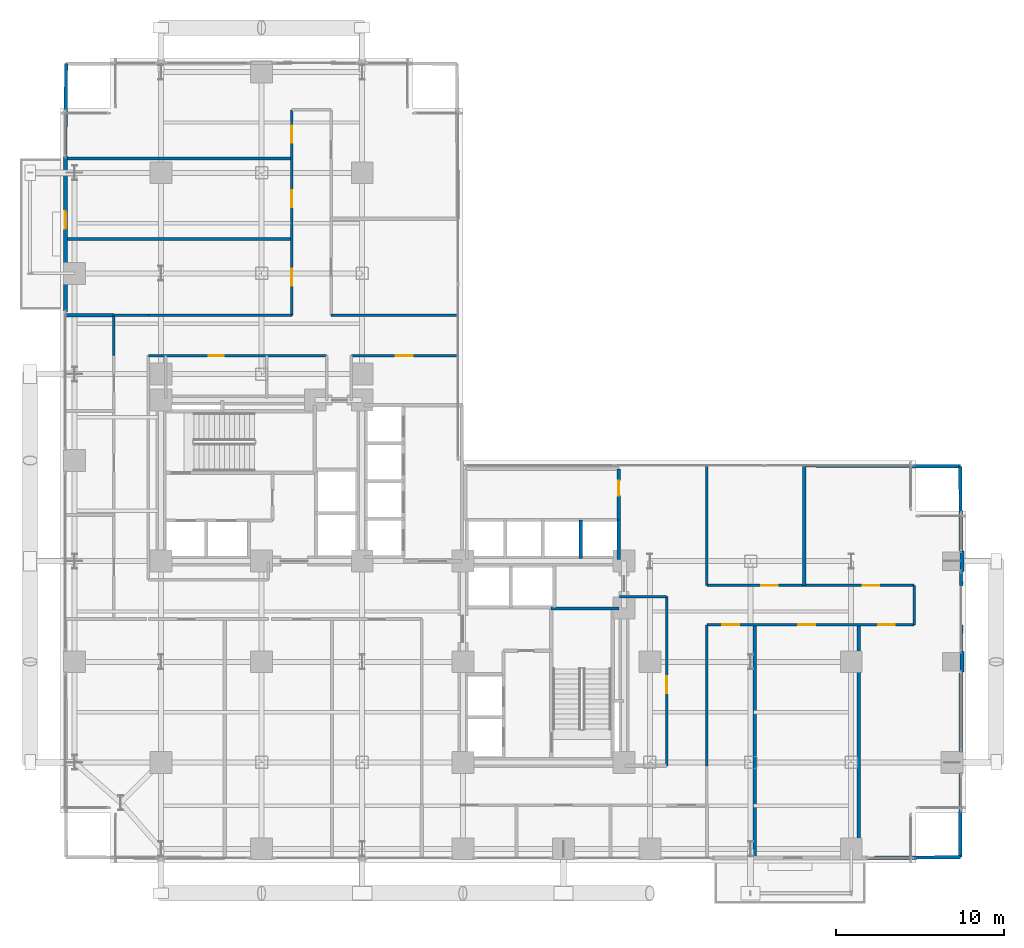
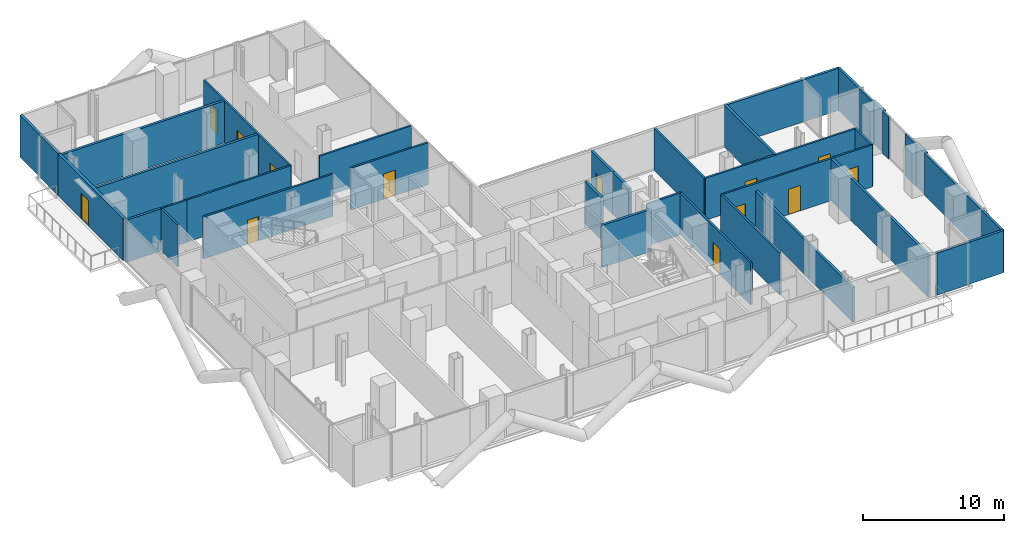
# One storey, part 23 of 27: 34 walls, 13 doors, 13 openings.
"""IFC4 building model written with IfcOpenShell, lengths in metres."""

from ifc_helpers import new_model, si_unit, direction, frame, frame_2d, origin, place, context, subcontext, project, spatial, rectangle, extrude, material, layer, layer_set, type_object, element, fill, save


model = new_model("IFC4")

# Units and contexts
model_context = context("Model", 3, precision=1e-05, world=origin(), true_north=direction((0.0, 1.0)))
body_context = subcontext(model_context, "Body", "Model", "MODEL_VIEW")
ifc_project = project(units=[si_unit("LENGTHUNIT", "METRE"), si_unit("AREAUNIT", "SQUARE_METRE"), si_unit("VOLUMEUNIT", "CUBIC_METRE"), si_unit("PLANEANGLEUNIT", "RADIAN"), si_unit("MASSUNIT", "GRAM", prefix="KILO"), si_unit("THERMODYNAMICTEMPERATUREUNIT", "KELVIN"), si_unit("POWERUNIT", "WATT")], contexts=[model_context])

# Site, building, storey
site_placement = place(None, origin())
site = spatial("IfcSite", under=ifc_project, at=site_placement, CompositionType="ELEMENT")
building_placement = place(site_placement, origin())
building = spatial("IfcBuilding", under=site, at=building_placement, Name="Svarakhadi Broadcast Tower", CompositionType="ELEMENT")
storey_placement = place(building_placement, frame((0.0, 0.0, 71.39990234375)))
storey = spatial("IfcBuildingStorey", under=building, at=storey_placement, Name="L16", CompositionType="ELEMENT", Elevation=71.39990234375)

# Walls
ifc_material_1 = material(Name="Double-Stud Acoustic Studio Partition STC-62", Category="gypsum")
ifc_layer_1 = layer(ifc_material_1, 0.199951171875)
ifc_layer_set_1 = layer_set([ifc_layer_1], Name="Double-Stud Acoustic Studio Partition STC-62")
wall_type_1 = type_object("IfcWallType", Name="Wall_Acoust_200", PredefinedType="PARTITIONING", material=ifc_layer_set_1)
wall_1_placement = place(storey_placement, frame((41.39990234375, 0.300048828125, 0.0), z_axis=(0.0, 0.0, 1.0), x_axis=(0.0, 1.0, 0.0)))
element("IfcWall", 1, at=wall_1_placement, inside=storey, type_object=wall_type_1, Name="L16 Harbour Terrace Espresso Bistro Wall", PredefinedType="PARTITIONING", context=body_context, shape_type="SweptSolid", body=[
    extrude(rectangle(XDim=13.89990234375, YDim=0.199951171875, at=frame_2d((6.949951171875, 0.0))), origin(), (0.0, 0.0, 1.0), 2.9921875),
])
wall_2_placement = place(storey_placement, frame((47.60009765625, 0.300048828125, 0.0), z_axis=(0.0, 0.0, 1.0), x_axis=(0.0, 1.0, 0.0)))
element("IfcWall", 2, at=wall_2_placement, inside=storey, type_object=wall_type_1, Name="L16 Crew Recreation Lounge Wall", PredefinedType="PARTITIONING", context=body_context, shape_type="SweptSolid", body=[
    extrude(rectangle(XDim=13.89990234375, YDim=0.199951171875, at=frame_2d((6.949951171875, 0.0))), origin(), (0.0, 0.0, 1.0), 3.650146484375),
])
wall_3_placement = place(storey_placement, frame((48.14501953125, 0.304443359375, 0.0), z_axis=(0.0, 0.0, 1.0), x_axis=(0.999965611379, 0.008293133286, 0.0)))
element("IfcWall", 3, at=wall_3_placement, inside=storey, type_object=wall_type_1, Name="L16 Staff Fitness Stretching Room Wall", PredefinedType="PARTITIONING", context=body_context, shape_type="SweptSolid", body=[
    extrude(rectangle(XDim=5.505126953125, YDim=0.199951171875, at=frame_2d((2.75244140625, 0.0))), origin(), (0.0, 0.0, 1.0), 3.650146484375),
])
wall_4_placement = place(storey_placement, frame((53.64990234375, 0.35009765625, 0.0), z_axis=(0.0, 0.0, 1.0), x_axis=(0.003606251025, 0.999993497456, 0.0)))
element("IfcWall", 4, at=wall_4_placement, inside=storey, type_object=wall_type_1, Name="L16 Staff Fitness Stretching Room Wall", PredefinedType="PARTITIONING", context=body_context, shape_type="SweptSolid", body=[
    extrude(rectangle(XDim=11.034912109375, YDim=0.199951171875, at=frame_2d((5.517578125, 0.0))), origin(), (0.0, 0.0, 1.0), 3.650146484375),
])
wall_5_placement = place(storey_placement, frame((53.6943359375, 12.614990234375, 0.0), z_axis=(0.0, 0.0, 1.0), x_axis=(0.003542799701, 0.999993724265, 0.0)))
element("IfcWall", 5, at=wall_5_placement, inside=storey, type_object=wall_type_1, Name="L16 Staff Fitness Stretching Room Wall", PredefinedType="PARTITIONING", context=body_context, shape_type="SweptSolid", body=[
    extrude(rectangle(XDim=1.5849609375, YDim=0.199951171875, at=frame_2d((0.79248046875, 0.0))), origin(), (0.0, 0.0, 1.0), 3.650146484375),
])
wall_6_placement = place(storey_placement, frame((44.35009765625, 16.550048828125, 0.0), z_axis=(0.0, 0.0, 1.0), x_axis=(0.0, 1.0, 0.0)))
element("IfcWall", 6, at=wall_6_placement, inside=storey, type_object=wall_type_1, Name="L16 Broadcast Acoustic Booth Wall", PredefinedType="PARTITIONING", context=body_context, shape_type="SweptSolid", body=[
    extrude(rectangle(XDim=7.14990234375, YDim=0.199951171875, at=frame_2d((3.574951171875, 0.0))), origin(), (0.0, 0.0, 1.0), 3.650146484375),
])
wall_7_placement = place(storey_placement, frame((44.35009765625, 23.699951171875, 0.0), z_axis=(0.0, 0.0, 1.0), x_axis=(0.999985518927, -0.005381629512, 0.0)))
element("IfcWall", 7, at=wall_7_placement, inside=storey, type_object=wall_type_1, Name="L16 Broadcast Equipment Operations Room Wall", PredefinedType="PARTITIONING", context=body_context, shape_type="SweptSolid", body=[
    extrude(rectangle(XDim=9.300048828125, YDim=0.199951171875, at=frame_2d((4.64990234375, 0.0))), origin(), (0.0, 0.0, 1.0), 3.650146484375),
])
wall_8_placement = place(storey_placement, frame((53.699951171875, 16.550048828125, 0.0), z_axis=(0.0, 0.0, 1.0), x_axis=(-0.007017371073, 0.999975377948, 0.0)))
element("IfcWall", 8, at=wall_8_placement, inside=storey, type_object=wall_type_1, Name="L16 Broadcast Equipment Operations Room Wall", PredefinedType="PARTITIONING", context=body_context, shape_type="SweptSolid", body=[
    extrude(rectangle(XDim=0.8349609375, YDim=0.199951171875, at=frame_2d((0.41748046875, 0.0))), origin(), (0.0, 0.0, 1.0), 3.650146484375),
])
wall_9_placement = place(storey_placement, frame((53.685546875, 18.614990234375, 0.0), z_axis=(0.0, 0.0, 1.0), x_axis=(-0.007079296972, 0.999974941463, 0.0)))
element("IfcWall", 9, at=wall_9_placement, inside=storey, type_object=wall_type_1, Name="L16 Broadcast Equipment Operations Room Wall", PredefinedType="PARTITIONING", context=body_context, shape_type="SweptSolid", body=[
    extrude(rectangle(XDim=5.03515625, YDim=0.199951171875, at=frame_2d((2.517578125, 0.0))), origin(), (0.0, 0.0, 1.0), 3.650146484375),
])
for number, where, z_axis, x_axis, name in (
    (10, (0.300048828125, 37.199951171875, 0.0), (0.0, 0.0, 1.0), (1.0, 0.0, 0.0), "L16 Occupational Health Wellness Room Wall"),
    (11, (0.300048828125, 42.0, 0.0), (0.0, 0.0, 1.0), (1.0, 0.0, 0.0), "L16 Night-Shift Quiet Rest Lounge Wall"),
):
    element("IfcWall", number, at=place(storey_placement, frame(where, z_axis=z_axis, x_axis=x_axis)), inside=storey, type_object=wall_type_1, Name=name, PredefinedType="PARTITIONING", context=body_context, shape_type="SweptSolid", body=[
        extrude(rectangle(XDim=13.5, YDim=0.199951171875, at=frame_2d((6.75, 0.0))), origin(), (0.0, 0.0, 1.0), 3.650146484375),
    ])
wall_10_placement = place(storey_placement, frame((0.30126953125, 42.14501953125, 0.0), z_axis=(0.0, 0.0, 1.0), x_axis=(0.008869617387, 0.99996066417, 0.0)))
element("IfcWall", 12, at=wall_10_placement, inside=storey, type_object=wall_type_1, Name="L16 Crew Locker Store Wall", PredefinedType="PARTITIONING", context=body_context, shape_type="SweptSolid", body=[
    extrude(rectangle(XDim=5.505126953125, YDim=0.199951171875, at=frame_2d((2.75244140625, 0.0))), origin(), (0.0, 0.0, 1.0), 3.650146484375),
])
wall_11_placement = place(storey_placement, frame((0.300048828125, 32.64990234375, 0.0), z_axis=(0.0, 0.0, 1.0), x_axis=(1.0, 0.0, 0.0)))
element("IfcWall", 13, at=wall_11_placement, inside=storey, type_object=wall_type_1, Name="L16 Producer Quiet Lounge Wall", PredefinedType="PARTITIONING", context=body_context, shape_type="SweptSolid", body=[
    extrude(rectangle(XDim=2.89990234375, YDim=0.199951171875, at=frame_2d((1.449951171875, 0.0))), origin(), (0.0, 0.0, 1.0), 3.650146484375),
])

# Wall, opening, door
ifc_material_2 = material(Name="Concrete C40/50 (IS 456 M50)", Category="concrete")
ifc_layer_2 = layer(ifc_material_2, 0.239990234375)
ifc_layer_set_2 = layer_set([ifc_layer_2], Name="Concrete C40/50 (IS 456 M50)")
wall_type_2 = type_object("IfcWallType", Name="Wall_Ext_240", PredefinedType="SOLIDWALL", material=ifc_layer_set_2)
wall_12_placement = place(storey_placement, frame((0.300048828125, 32.85498046875, 0.0), z_axis=(0.0, 0.0, 1.0), x_axis=(0.0, 1.0, 0.0)))
wall_12 = element("IfcWall", 14, at=wall_12_placement, inside=storey, type_object=wall_type_2, Name="L16 West Tree Balcony Spandrel Wall", PredefinedType="SOLIDWALL", context=body_context, shape_type="SweptSolid", body=[
    extrude(rectangle(XDim=9.2900390625, YDim=0.239990234375, at=frame_2d((4.64501953125, 0.0))), origin(), (0.0, 0.0, 1.0), 3.650146484375),
])
opening_1_placement = place(wall_12_placement, frame((4.949951171875, 0.0, 0.0)))
opening_1 = element("IfcOpeningElement", 15, at=opening_1_placement, cuts=wall_12, Name="Opening ED-05", PredefinedType="OPENING", context=body_context, shape_type="SweptSolid", body=[
    extrude(rectangle(XDim=1.050048828125, YDim=2.199951171875, at=frame_2d((0.52490234375, 1.10009765625))), frame((0.0, 0.1298828125, 0.0), z_axis=(0.0, -1.0, 0.0), x_axis=(1.0, 0.0, 0.0)), (0.0, 0.0, 1.0), 0.260009765625),
])
ifc_material_3 = material(Name="Anodised Bronze Aluminium AA 6063-T6", Category="aluminium")
door_type_1 = type_object("IfcDoorType", Name="Door_Ext_ED05", OperationType="SINGLE_SWING_LEFT", PredefinedType="DOOR", material=ifc_material_3)
door_1_placement = place(opening_1_placement, origin())
door_1 = element("IfcDoor", 16, at=door_1_placement, inside=storey, type_object=door_type_1, Name="L16 West Tree Balcony Door", OperationType="SINGLE_SWING_LEFT", OverallHeight=2.199951171875, OverallWidth=1.050048828125, PredefinedType="DOOR", context=body_context, shape_type="SweptSolid", body=[
    extrude(rectangle(XDim=1.050048828125, YDim=2.199951171875, at=frame_2d((0.52490234375, 1.10009765625))), frame((0.0, 0.02490234375, 0.0), z_axis=(0.0, -1.0, 0.0), x_axis=(1.0, 0.0, 0.0)), (0.0, 0.0, 1.0), 0.050048828125),
])
fill(opening_1, door_1)

# Walls
for number, where, z_axis, x_axis, name in (
    (17, (53.760009765625, 18.614990234375, 0.0), (0.0, 0.0, 1.0), (0.0, -1.0, 0.0), "L16 Perimeter Bronze Spandrel Closure Wall 03"),
    (18, (53.760009765625, 12.614990234375, 0.0), (0.0, 0.0, 1.0), (0.0, -1.0, 0.0), "L16 Perimeter Bronze Spandrel Closure Wall 04"),
):
    element("IfcWall", number, at=place(storey_placement, frame(where, z_axis=z_axis, x_axis=x_axis)), inside=storey, type_object=wall_type_2, Name=name, PredefinedType="SOLIDWALL", context=body_context, shape_type="SweptSolid", body=[
        extrude(rectangle(XDim=1.22998046875, YDim=0.239990234375, at=frame_2d((0.614990234375, 0.0))), origin(), (0.0, 0.0, 1.0), 3.650146484375),
    ])

# Wall, opening, door
ifc_material_4 = material(Name="Autoclaved Aerated Concrete Blockwork 150 mm", Category="masonry")
ifc_layer_3 = layer(ifc_material_4, 0.14990234375)
ifc_layer_set_3 = layer_set([ifc_layer_3], Name="Autoclaved Aerated Concrete Blockwork 150 mm")
wall_type_3 = type_object("IfcWallType", Name="Wall_Part_150", PredefinedType="PARTITIONING", material=ifc_layer_set_3)
wall_13_placement = place(storey_placement, frame((36.14990234375, 5.800048828125, 0.0), z_axis=(0.0, 0.0, 1.0), x_axis=(0.0, 1.0, 0.0)))
wall_13 = element("IfcWall", 19, at=wall_13_placement, inside=storey, type_object=wall_type_3, Name="L16 Broadcast Corridor Wall", PredefinedType="PARTITIONING", context=body_context, shape_type="SweptSolid", body=[
    extrude(rectangle(XDim=10.079833984375, YDim=0.14990234375, at=frame_2d((5.0400390625, 0.0))), origin(), (0.0, 0.0, 1.0), 3.650146484375),
])
opening_2_placement = place(wall_13_placement, frame((4.330078125, 0.0, 0.0)))
opening_2 = element("IfcOpeningElement", 20, at=opening_2_placement, cuts=wall_13, Name="Opening D-08", PredefinedType="OPENING", context=body_context, shape_type="SweptSolid", body=[
    extrude(rectangle(XDim=1.0, YDim=2.199951171875, at=frame_2d((0.5, 1.10009765625))), frame((0.0, 0.0849609375, 0.0), z_axis=(0.0, -1.0, 0.0), x_axis=(1.0, 0.0, 0.0)), (0.0, 0.0, 1.0), 0.169921875),
])
ifc_material_5 = material(Name="Solid-Core Teak Veneer Acoustic Timber Leaf", Category="wood")
door_type_2 = type_object("IfcDoorType", Name="Door_Suite_D08", OperationType="SINGLE_SWING_LEFT", PredefinedType="DOOR", material=ifc_material_5)
door_2_placement = place(opening_2_placement, origin())
door_2 = element("IfcDoor", 21, at=door_2_placement, inside=storey, type_object=door_type_2, Name="L16 Live Feed Monitoring Studio Door", OperationType="SINGLE_SWING_LEFT", OverallHeight=2.199951171875, OverallWidth=1.0, PredefinedType="DOOR", context=body_context, shape_type="SweptSolid", body=[
    extrude(rectangle(XDim=1.0, YDim=2.199951171875, at=frame_2d((0.5, 1.10009765625))), frame((0.0, 0.02490234375, 0.0), z_axis=(0.0, -1.0, 0.0), x_axis=(1.0, 0.0, 0.0)), (0.0, 0.0, 1.0), 0.050048828125),
])
fill(opening_2, door_2)

# Walls
wall_14_placement = place(storey_placement, frame((36.14990234375, 15.8798828125, 0.0), z_axis=(0.0, 0.0, 1.0), x_axis=(-1.0, 0.0, 0.0)))
element("IfcWall", 22, at=wall_14_placement, inside=storey, type_object=wall_type_3, Name="L16 Broadcast Corridor Wall", PredefinedType="PARTITIONING", context=body_context, shape_type="SweptSolid", body=[
    extrude(rectangle(XDim=2.809814453125, YDim=0.14990234375, at=frame_2d((1.40478515625, 0.0))), origin(), (0.0, 0.0, 1.0), 3.650146484375),
])
wall_15_placement = place(storey_placement, frame((38.550048828125, 23.699951171875, 0.0), z_axis=(0.0, 0.0, 1.0), x_axis=(0.0, -1.0, 0.0)))
element("IfcWall", 23, at=wall_15_placement, inside=storey, type_object=wall_type_3, Name="L16 Broadcast Corridor Wall", PredefinedType="PARTITIONING", context=body_context, shape_type="SweptSolid", body=[
    extrude(rectangle(XDim=7.14990234375, YDim=0.14990234375, at=frame_2d((3.574951171875, 0.0))), origin(), (0.0, 0.0, 1.0), 3.650146484375),
])

# Wall, openings, doors
wall_16_placement = place(storey_placement, frame((38.550048828125, 16.550048828125, 0.0), z_axis=(0.0, 0.0, 1.0), x_axis=(1.0, 0.0, 0.0)))
wall_16 = element("IfcWall", 24, at=wall_16_placement, inside=storey, type_object=wall_type_3, Name="L16 Broadcast Corridor Wall", PredefinedType="PARTITIONING", context=body_context, shape_type="SweptSolid", body=[
    extrude(rectangle(XDim=12.349853515625, YDim=0.14990234375, at=frame_2d((6.1748046875, 0.0))), origin(), (0.0, 0.0, 1.0), 3.650146484375),
])
opening_3_placement = place(wall_16_placement, frame((3.22998046875, 0.0, 0.0)))
opening_3 = element("IfcOpeningElement", 25, at=opening_3_placement, cuts=wall_16, Name="Opening D-09", PredefinedType="OPENING", context=body_context, shape_type="SweptSolid", body=[
    extrude(rectangle(XDim=1.0, YDim=2.199951171875, at=frame_2d((0.5, 1.10009765625))), frame((0.0, 0.0849609375, 0.0), z_axis=(0.0, -1.0, 0.0), x_axis=(1.0, 0.0, 0.0)), (0.0, 0.0, 1.0), 0.169921875),
])
opening_4_placement = place(wall_16_placement, frame((9.280029296875, 0.0, 0.0)))
opening_4 = element("IfcOpeningElement", 26, at=opening_4_placement, cuts=wall_16, Name="Opening D-09", PredefinedType="OPENING", context=body_context, shape_type="SweptSolid", body=[
    extrude(rectangle(XDim=1.0, YDim=2.199951171875, at=frame_2d((0.5, 1.10009765625))), frame((0.0, 0.0849609375, 0.0), z_axis=(0.0, -1.0, 0.0), x_axis=(1.0, 0.0, 0.0)), (0.0, 0.0, 1.0), 0.169921875),
])
door_type_3 = type_object("IfcDoorType", Name="Door_Suite_D09", OperationType="SINGLE_SWING_RIGHT", PredefinedType="DOOR", material=ifc_material_5)
door_3_placement = place(opening_3_placement, origin())
door_3 = element("IfcDoor", 27, at=door_3_placement, inside=storey, type_object=door_type_3, Name="L16 Broadcast Acoustic Booth Door", OperationType="SINGLE_SWING_RIGHT", OverallHeight=2.199951171875, OverallWidth=1.0, PredefinedType="DOOR", context=body_context, shape_type="SweptSolid", body=[
    extrude(rectangle(XDim=1.0, YDim=2.199951171875, at=frame_2d((0.5, 1.10009765625))), frame((0.0, 0.02490234375, 0.0), z_axis=(0.0, -1.0, 0.0), x_axis=(1.0, 0.0, 0.0)), (0.0, 0.0, 1.0), 0.050048828125),
])
fill(opening_3, door_3)
door_4_placement = place(opening_4_placement, origin())
door_4 = element("IfcDoor", 28, at=door_4_placement, inside=storey, type_object=door_type_3, Name="L16 Broadcast Equipment Operations Room Door", OperationType="SINGLE_SWING_RIGHT", OverallHeight=2.199951171875, OverallWidth=1.0, PredefinedType="DOOR", context=body_context, shape_type="SweptSolid", body=[
    extrude(rectangle(XDim=1.0, YDim=2.199951171875, at=frame_2d((0.5, 1.10009765625))), frame((0.0, 0.02490234375, 0.0), z_axis=(0.0, -1.0, 0.0), x_axis=(1.0, 0.0, 0.0)), (0.0, 0.0, 1.0), 0.050048828125),
])
fill(opening_4, door_4)

# Wall
wall_17_placement = place(storey_placement, frame((50.89990234375, 16.550048828125, 0.0), z_axis=(0.0, 0.0, 1.0), x_axis=(0.0, -1.0, 0.0)))
element("IfcWall", 29, at=wall_17_placement, inside=storey, type_object=wall_type_3, Name="L16 Broadcast Corridor Wall", PredefinedType="PARTITIONING", context=body_context, shape_type="SweptSolid", body=[
    extrude(rectangle(XDim=2.35009765625, YDim=0.14990234375, at=frame_2d((1.175048828125, 0.0))), origin(), (0.0, 0.0, 1.0), 3.650146484375),
])

# Wall, openings, doors
wall_18_placement = place(storey_placement, frame((50.89990234375, 14.199951171875, 0.0), z_axis=(0.0, 0.0, 1.0), x_axis=(-1.0, 0.0, 0.0)))
wall_18 = element("IfcWall", 30, at=wall_18_placement, inside=storey, type_object=wall_type_3, Name="L16 Broadcast Corridor Wall", PredefinedType="PARTITIONING", context=body_context, shape_type="SweptSolid", body=[
    extrude(rectangle(XDim=12.349853515625, YDim=0.14990234375, at=frame_2d((6.1748046875, 0.0))), origin(), (0.0, 0.0, 1.0), 3.650146484375),
])
opening_5_placement = place(wall_18_placement, frame((10.425048828125, 0.0, 0.0)))
opening_5 = element("IfcOpeningElement", 31, at=opening_5_placement, cuts=wall_18, Name="Opening D-09", PredefinedType="OPENING", context=body_context, shape_type="SweptSolid", body=[
    extrude(rectangle(XDim=1.0, YDim=2.199951171875, at=frame_2d((0.5, 1.10009765625))), frame((0.0, 0.0849609375, 0.0), z_axis=(0.0, -1.0, 0.0), x_axis=(1.0, 0.0, 0.0)), (0.0, 0.0, 1.0), 0.169921875),
])
opening_6_placement = place(wall_18_placement, frame((5.89990234375, 0.0, 0.0)))
opening_6 = element("IfcOpeningElement", 32, at=opening_6_placement, cuts=wall_18, Name="Opening D-08", PredefinedType="OPENING", context=body_context, shape_type="SweptSolid", body=[
    extrude(rectangle(XDim=1.0, YDim=2.199951171875, at=frame_2d((0.5, 1.10009765625))), frame((0.0, 0.0849609375, 0.0), z_axis=(0.0, -1.0, 0.0), x_axis=(1.0, 0.0, 0.0)), (0.0, 0.0, 1.0), 0.169921875),
])
opening_7_placement = place(wall_18_placement, frame((1.14990234375, 0.0, 0.0)))
opening_7 = element("IfcOpeningElement", 33, at=opening_7_placement, cuts=wall_18, Name="Opening D-09", PredefinedType="OPENING", context=body_context, shape_type="SweptSolid", body=[
    extrude(rectangle(XDim=1.0, YDim=2.199951171875, at=frame_2d((0.5, 1.10009765625))), frame((0.0, 0.0849609375, 0.0), z_axis=(0.0, -1.0, 0.0), x_axis=(1.0, 0.0, 0.0)), (0.0, 0.0, 1.0), 0.169921875),
])
door_5_placement = place(opening_6_placement, origin())
door_5 = element("IfcDoor", 34, at=door_5_placement, inside=storey, type_object=door_type_2, Name="L16 Crew Recreation Lounge Door", OperationType="SINGLE_SWING_LEFT", OverallHeight=2.199951171875, OverallWidth=1.0, PredefinedType="DOOR", context=body_context, shape_type="SweptSolid", body=[
    extrude(rectangle(XDim=1.0, YDim=2.199951171875, at=frame_2d((0.5, 1.10009765625))), frame((0.0, 0.02490234375, 0.0), z_axis=(0.0, -1.0, 0.0), x_axis=(1.0, 0.0, 0.0)), (0.0, 0.0, 1.0), 0.050048828125),
])
fill(opening_6, door_5)
door_6_placement = place(opening_5_placement, origin())
door_6 = element("IfcDoor", 35, at=door_6_placement, inside=storey, type_object=door_type_3, Name="L16 Harbour Terrace Espresso Bistro Door", OperationType="SINGLE_SWING_RIGHT", OverallHeight=2.199951171875, OverallWidth=1.0, PredefinedType="DOOR", context=body_context, shape_type="SweptSolid", body=[
    extrude(rectangle(XDim=1.0, YDim=2.199951171875, at=frame_2d((0.5, 1.10009765625))), frame((0.0, 0.02490234375, 0.0), z_axis=(0.0, -1.0, 0.0), x_axis=(1.0, 0.0, 0.0)), (0.0, 0.0, 1.0), 0.050048828125),
])
fill(opening_5, door_6)
door_7_placement = place(opening_7_placement, origin())
door_7 = element("IfcDoor", 36, at=door_7_placement, inside=storey, type_object=door_type_3, Name="L16 Staff Fitness Stretching Room Door", OperationType="SINGLE_SWING_RIGHT", OverallHeight=2.199951171875, OverallWidth=1.0, PredefinedType="DOOR", context=body_context, shape_type="SweptSolid", body=[
    extrude(rectangle(XDim=1.0, YDim=2.199951171875, at=frame_2d((0.5, 1.10009765625))), frame((0.0, 0.02490234375, 0.0), z_axis=(0.0, -1.0, 0.0), x_axis=(1.0, 0.0, 0.0)), (0.0, 0.0, 1.0), 0.050048828125),
])
fill(opening_7, door_7)

# Walls
wall_19_placement = place(storey_placement, frame((38.550048828125, 14.199951171875, 0.0), z_axis=(0.0, 0.0, 1.0), x_axis=(0.0, -1.0, 0.0)))
element("IfcWall", 37, at=wall_19_placement, inside=storey, type_object=wall_type_3, Name="L16 Broadcast Corridor Wall", PredefinedType="PARTITIONING", context=body_context, shape_type="SweptSolid", body=[
    extrude(rectangle(XDim=8.39990234375, YDim=0.14990234375, at=frame_2d((4.199951171875, 0.0))), origin(), (0.0, 0.0, 1.0), 3.650146484375),
])
wall_20_placement = place(storey_placement, frame((3.199951171875, 30.25, 0.0), z_axis=(0.0, 0.0, 1.0), x_axis=(0.0, 1.0, 0.0)))
element("IfcWall", 38, at=wall_20_placement, inside=storey, type_object=wall_type_3, Name="L16 Broadcast Corridor Wall", PredefinedType="PARTITIONING", context=body_context, shape_type="SweptSolid", body=[
    extrude(rectangle(XDim=2.39990234375, YDim=0.14990234375, at=frame_2d((1.199951171875, 0.0))), origin(), (0.0, 0.0, 1.0), 3.650146484375),
])
wall_21_placement = place(storey_placement, frame((3.199951171875, 32.64990234375, 0.0), z_axis=(0.0, 0.0, 1.0), x_axis=(1.0, 0.0, 0.0)))
element("IfcWall", 39, at=wall_21_placement, inside=storey, type_object=wall_type_3, Name="L16 Broadcast Corridor Wall", PredefinedType="PARTITIONING", context=body_context, shape_type="SweptSolid", body=[
    extrude(rectangle(XDim=2.050048828125, YDim=0.14990234375, at=frame_2d((1.02490234375, 0.0))), origin(), (0.0, 0.0, 1.0), 3.650146484375),
])
wall_22_placement = place(storey_placement, frame((5.25, 32.64990234375, 0.0), z_axis=(0.0, 0.0, 1.0), x_axis=(1.0, 0.0, 0.0)))
element("IfcWall", 40, at=wall_22_placement, inside=storey, type_object=wall_type_3, Name="L16 Broadcast Corridor Wall", PredefinedType="PARTITIONING", context=body_context, shape_type="SweptSolid", body=[
    extrude(rectangle(XDim=8.550048828125, YDim=0.14990234375, at=frame_2d((4.27490234375, 0.0))), origin(), (0.0, 0.0, 1.0), 3.650146484375),
])

# Wall, openings, doors
wall_23_placement = place(storey_placement, frame((13.800048828125, 32.64990234375, 0.0), z_axis=(0.0, 0.0, 1.0), x_axis=(0.0, 1.0, 0.0)))
wall_23 = element("IfcWall", 41, at=wall_23_placement, inside=storey, type_object=wall_type_3, Name="L16 Broadcast Corridor Wall", PredefinedType="PARTITIONING", context=body_context, shape_type="SweptSolid", body=[
    extrude(rectangle(XDim=12.25, YDim=0.14990234375, at=frame_2d((6.125, 0.0))), origin(), (0.0, 0.0, 1.0), 3.650146484375),
])
opening_8_placement = place(wall_23_placement, frame((1.77490234375, 0.0, 0.0)))
opening_8 = element("IfcOpeningElement", 42, at=opening_8_placement, cuts=wall_23, Name="Opening D-09", PredefinedType="OPENING", context=body_context, shape_type="SweptSolid", body=[
    extrude(rectangle(XDim=1.0, YDim=2.199951171875, at=frame_2d((0.5, 1.10009765625))), frame((0.0, 0.0849609375, 0.0), z_axis=(0.0, -1.0, 0.0), x_axis=(1.0, 0.0, 0.0)), (0.0, 0.0, 1.0), 0.169921875),
])
opening_9_placement = place(wall_23_placement, frame((6.449951171875, 0.0, 0.0)))
opening_9 = element("IfcOpeningElement", 43, at=opening_9_placement, cuts=wall_23, Name="Opening D-08", PredefinedType="OPENING", context=body_context, shape_type="SweptSolid", body=[
    extrude(rectangle(XDim=1.0, YDim=2.199951171875, at=frame_2d((0.5, 1.10009765625))), frame((0.0, 0.0849609375, 0.0), z_axis=(0.0, -1.0, 0.0), x_axis=(1.0, 0.0, 0.0)), (0.0, 0.0, 1.0), 0.169921875),
])
opening_10_placement = place(wall_23_placement, frame((10.300048828125, 0.0, 0.0)))
opening_10 = element("IfcOpeningElement", 44, at=opening_10_placement, cuts=wall_23, Name="Opening D-09", PredefinedType="OPENING", context=body_context, shape_type="SweptSolid", body=[
    extrude(rectangle(XDim=1.0, YDim=2.199951171875, at=frame_2d((0.5, 1.10009765625))), frame((0.0, 0.0849609375, 0.0), z_axis=(0.0, -1.0, 0.0), x_axis=(1.0, 0.0, 0.0)), (0.0, 0.0, 1.0), 0.169921875),
])
door_8_placement = place(opening_9_placement, origin())
door_8 = element("IfcDoor", 45, at=door_8_placement, inside=storey, type_object=door_type_2, Name="L16 Night-Shift Quiet Rest Lounge Door", OperationType="SINGLE_SWING_LEFT", OverallHeight=2.199951171875, OverallWidth=1.0, PredefinedType="DOOR", context=body_context, shape_type="SweptSolid", body=[
    extrude(rectangle(XDim=1.0, YDim=2.199951171875, at=frame_2d((0.5, 1.10009765625))), frame((0.0, 0.02490234375, 0.0), z_axis=(0.0, -1.0, 0.0), x_axis=(1.0, 0.0, 0.0)), (0.0, 0.0, 1.0), 0.050048828125),
])
fill(opening_9, door_8)
door_9_placement = place(opening_8_placement, origin())
door_9 = element("IfcDoor", 46, at=door_9_placement, inside=storey, type_object=door_type_3, Name="L16 Occupational Health Wellness Room Door", OperationType="SINGLE_SWING_RIGHT", OverallHeight=2.199951171875, OverallWidth=1.0, PredefinedType="DOOR", context=body_context, shape_type="SweptSolid", body=[
    extrude(rectangle(XDim=1.0, YDim=2.199951171875, at=frame_2d((0.5, 1.10009765625))), frame((0.0, 0.02490234375, 0.0), z_axis=(0.0, -1.0, 0.0), x_axis=(1.0, 0.0, 0.0)), (0.0, 0.0, 1.0), 0.050048828125),
])
fill(opening_8, door_9)
door_10_placement = place(opening_10_placement, origin())
door_10 = element("IfcDoor", 47, at=door_10_placement, inside=storey, type_object=door_type_3, Name="L16 Crew Locker Store Door", OperationType="SINGLE_SWING_RIGHT", OverallHeight=2.199951171875, OverallWidth=1.0, PredefinedType="DOOR", context=body_context, shape_type="SweptSolid", body=[
    extrude(rectangle(XDim=1.0, YDim=2.199951171875, at=frame_2d((0.5, 1.10009765625))), frame((0.0, 0.02490234375, 0.0), z_axis=(0.0, -1.0, 0.0), x_axis=(1.0, 0.0, 0.0)), (0.0, 0.0, 1.0), 0.050048828125),
])
fill(opening_10, door_10)

# Wall
wall_24_placement = place(storey_placement, frame((16.14990234375, 32.64990234375, 0.0), z_axis=(0.0, 0.0, 1.0), x_axis=(1.0, 0.0, 0.0)))
element("IfcWall", 48, at=wall_24_placement, inside=storey, type_object=wall_type_3, Name="L16 Broadcast Corridor Wall", PredefinedType="PARTITIONING", context=body_context, shape_type="SweptSolid", body=[
    extrude(rectangle(XDim=7.550048828125, YDim=0.14990234375, at=frame_2d((3.77490234375, 0.0))), origin(), (0.0, 0.0, 1.0), 3.650146484375),
])

# Wall, opening, door
wall_25_placement = place(storey_placement, frame((23.699951171875, 30.25, 0.0), z_axis=(0.0, 0.0, 1.0), x_axis=(-1.0, 0.0, 0.0)))
wall_25 = element("IfcWall", 49, at=wall_25_placement, inside=storey, type_object=wall_type_3, Name="L16 Broadcast Corridor Wall", PredefinedType="PARTITIONING", context=body_context, shape_type="SweptSolid", body=[
    extrude(rectangle(XDim=6.349853515625, YDim=0.14990234375, at=frame_2d((3.1748046875, 0.0))), origin(), (0.0, 0.0, 1.0), 3.650146484375),
])
opening_11_placement = place(wall_25_placement, frame((2.699951171875, 0.0, 0.0)))
opening_11 = element("IfcOpeningElement", 50, at=opening_11_placement, cuts=wall_25, Name="Opening D-08", PredefinedType="OPENING", context=body_context, shape_type="SweptSolid", body=[
    extrude(rectangle(XDim=1.0, YDim=2.199951171875, at=frame_2d((0.5, 1.10009765625))), frame((0.0, 0.0849609375, 0.0), z_axis=(0.0, -1.0, 0.0), x_axis=(1.0, 0.0, 0.0)), (0.0, 0.0, 1.0), 0.169921875),
])
door_11_placement = place(opening_11_placement, origin())
door_11 = element("IfcDoor", 51, at=door_11_placement, inside=storey, type_object=door_type_2, Name="L16 Production Continuity Office Door", OperationType="SINGLE_SWING_LEFT", OverallHeight=2.199951171875, OverallWidth=1.0, PredefinedType="DOOR", context=body_context, shape_type="SweptSolid", body=[
    extrude(rectangle(XDim=1.0, YDim=2.199951171875, at=frame_2d((0.5, 1.10009765625))), frame((0.0, 0.02490234375, 0.0), z_axis=(0.0, -1.0, 0.0), x_axis=(1.0, 0.0, 0.0)), (0.0, 0.0, 1.0), 0.050048828125),
])
fill(opening_11, door_11)

wall_26_placement = place(storey_placement, frame((15.8798828125, 30.25, 0.0), z_axis=(0.0, 0.0, 1.0), x_axis=(-1.0, 0.0, 0.0)))
wall_26 = element("IfcWall", 52, at=wall_26_placement, inside=storey, type_object=wall_type_3, Name="L16 Broadcast Corridor Wall", PredefinedType="PARTITIONING", context=body_context, shape_type="SweptSolid", body=[
    extrude(rectangle(XDim=10.6298828125, YDim=0.14990234375, at=frame_2d((5.31494140625, 0.0))), origin(), (0.0, 0.0, 1.0), 3.650146484375),
])
opening_12_placement = place(wall_26_placement, frame((6.1298828125, 0.0, 0.0)))
opening_12 = element("IfcOpeningElement", 53, at=opening_12_placement, cuts=wall_26, Name="Opening D-13", PredefinedType="OPENING", context=body_context, shape_type="SweptSolid", body=[
    extrude(rectangle(XDim=0.89990234375, YDim=2.10009765625, at=frame_2d((0.449951171875, 1.050048828125))), frame((0.0, 0.0849609375, 0.0), z_axis=(0.0, -1.0, 0.0), x_axis=(1.0, 0.0, 0.0)), (0.0, 0.0, 1.0), 0.169921875),
])
door_type_4 = type_object("IfcDoorType", Name="Door_Closet_D13", OperationType="SINGLE_SWING_RIGHT", PredefinedType="DOOR", material=ifc_material_5)
door_12_placement = place(opening_12_placement, origin())
door_12 = element("IfcDoor", 54, at=door_12_placement, inside=storey, type_object=door_type_4, Name="L16 Accessible Toilet WC Door", OperationType="SINGLE_SWING_RIGHT", OverallHeight=2.10009765625, OverallWidth=0.89990234375, PredefinedType="DOOR", context=body_context, shape_type="SweptSolid", body=[
    extrude(rectangle(XDim=0.89990234375, YDim=2.10009765625, at=frame_2d((0.449951171875, 1.050048828125))), frame((0.0, 0.02490234375, 0.0), z_axis=(0.0, -1.0, 0.0), x_axis=(1.0, 0.0, 0.0)), (0.0, 0.0, 1.0), 0.050048828125),
])
fill(opening_12, door_12)

# Walls
ifc_material_6 = material(Name="Concrete C50/60 (IS 456 M60)", Category="concrete")
ifc_layer_4 = layer(ifc_material_6, 0.199951171875)
ifc_layer_set_4 = layer_set([ifc_layer_4], Name="Concrete C50/60 (IS 456 M60)")
wall_type_4 = type_object("IfcWallType", Name="Wall_Shear_200", PredefinedType="SHEAR", material=ifc_layer_set_4)
wall_27_placement = place(storey_placement, frame((29.260009765625, 15.179931640625, 0.0), z_axis=(0.0, 0.0, 1.0), x_axis=(1.0, 0.0, 0.0)))
element("IfcWall", 55, at=wall_27_placement, inside=storey, type_object=wall_type_4, Name="L16 Stair ST-02 North RC Shaft Wall", PredefinedType="SHEAR", context=body_context, shape_type="SweptSolid", body=[
    extrude(rectangle(XDim=4.0400390625, YDim=0.199951171875, at=frame_2d((2.02001953125, 0.0))), origin(), (0.0, 0.0, 1.0), 3.650146484375),
])
wall_28_placement = place(storey_placement, frame((33.300048828125, 18.10009765625, 0.0), z_axis=(0.0, 0.0, 1.0), x_axis=(0.0, 1.0, 0.0)))
element("IfcWall", 56, at=wall_28_placement, inside=storey, type_object=wall_type_4, Name="L16 Bank B East Shaft Wall", PredefinedType="SHEAR", context=body_context, shape_type="SweptSolid", body=[
    extrude(rectangle(XDim=2.349853515625, YDim=0.199951171875, at=frame_2d((1.1748046875, 0.0))), origin(), (0.0, 0.0, 1.0), 3.650146484375),
])
wall_29_placement = place(storey_placement, frame((31.02001953125, 18.14990234375, 0.0), z_axis=(0.0, 0.0, 1.0), x_axis=(0.0, 1.0, 0.0)))
element("IfcWall", 57, at=wall_29_placement, inside=storey, type_object=wall_type_4, Name="L16 Bank B Divider", PredefinedType="SHEAR", context=body_context, shape_type="SweptSolid", body=[
    extrude(rectangle(XDim=2.300048828125, YDim=0.199951171875, at=frame_2d((1.14990234375, 0.0))), origin(), (0.0, 0.0, 1.0), 3.650146484375),
])

# Wall, opening, door
wall_30_placement = place(storey_placement, frame((33.300048828125, 20.449951171875, 0.0), z_axis=(0.0, 0.0, 1.0), x_axis=(0.0, 1.0, 0.0)))
wall_30 = element("IfcWall", 58, at=wall_30_placement, inside=storey, type_object=wall_type_4, Name="L16 Bank B Lift Hall East Wall", PredefinedType="SHEAR", context=body_context, shape_type="SweptSolid", body=[
    extrude(rectangle(XDim=3.050048828125, YDim=0.199951171875, at=frame_2d((1.52490234375, 0.0))), origin(), (0.0, 0.0, 1.0), 3.650146484375),
])
opening_13_placement = place(wall_30_placement, frame((1.449951171875, 0.0, 0.0)))
opening_13 = element("IfcOpeningElement", 59, at=opening_13_placement, cuts=wall_30, Name="Opening D-04", PredefinedType="OPENING", context=body_context, shape_type="SweptSolid", body=[
    extrude(rectangle(XDim=0.89990234375, YDim=2.14990234375, at=frame_2d((0.449951171875, 1.074951171875))), frame((0.0, 0.10986328125, 0.0), z_axis=(0.0, -1.0, 0.0), x_axis=(1.0, 0.0, 0.0)), (0.0, 0.0, 1.0), 0.219970703125),
])
ifc_material_7 = material(Name="Galvanised Powder-Coated Fire-Rated Steel Leaf", Category="steel")
door_type_5 = type_object("IfcDoorType", Name="Door_Fire_D04", OperationType="SINGLE_SWING_RIGHT", PredefinedType="DOOR", material=ifc_material_7)
door_13_placement = place(opening_13_placement, origin())
door_13 = element("IfcDoor", 60, at=door_13_placement, inside=storey, type_object=door_type_5, Name="L16 Mid-Rise Lift Hall East Corridor Door", OperationType="SINGLE_SWING_RIGHT", OverallHeight=2.14990234375, OverallWidth=0.89990234375, PredefinedType="DOOR", context=body_context, shape_type="SweptSolid", body=[
    extrude(rectangle(XDim=0.89990234375, YDim=2.14990234375, at=frame_2d((0.449951171875, 1.074951171875))), frame((0.0, 0.02490234375, 0.0), z_axis=(0.0, -1.0, 0.0), x_axis=(1.0, 0.0, 0.0)), (0.0, 0.0, 1.0), 0.050048828125),
])
fill(opening_13, door_13)

save(model, "model.ifc")
